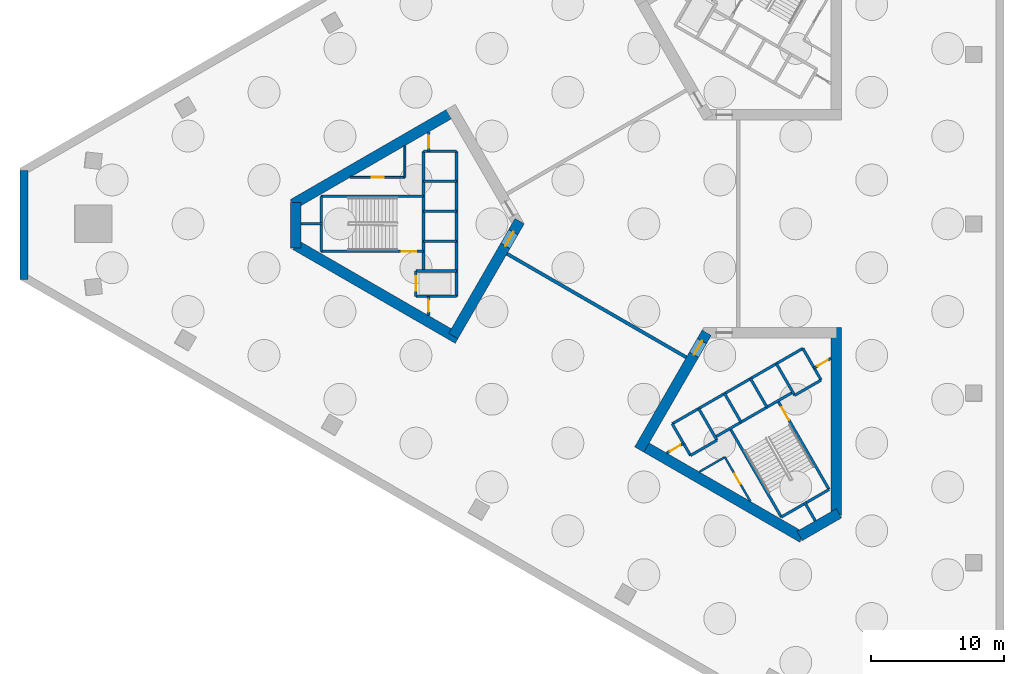
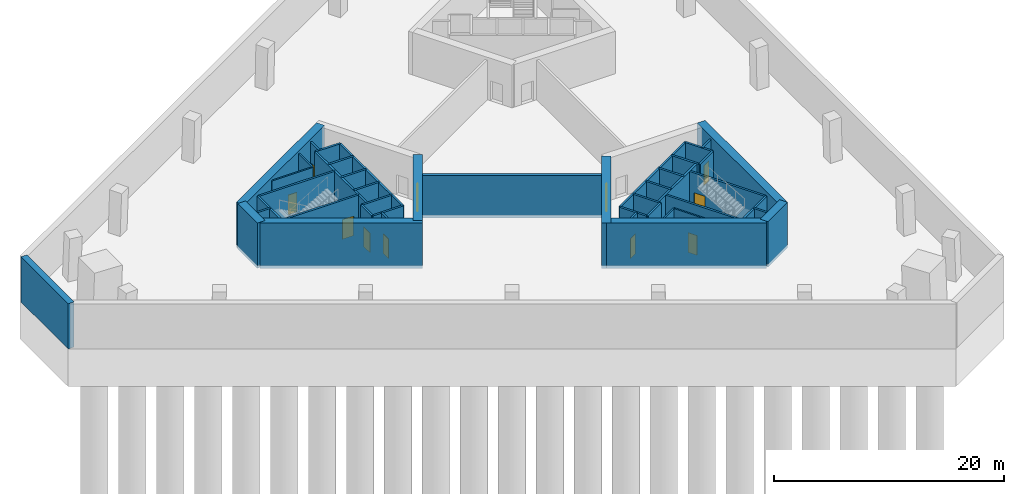
# One storey, part 2 of 7: 45 walls, 11 doors, 11 openings.
"""IFC4 building model written with IfcOpenShell, lengths in metres."""

from ifc_helpers import new_model, si_unit, direction, frame, frame_2d, origin, place, context, subcontext, project, spatial, rectangle, extrude, material, layer, layer_set, type_object, element, fill, save


model = new_model("IFC4")

# Units and contexts
model_context = context("Model", 3, precision=1e-05, world=origin(), true_north=direction((0.0, 1.0)))
body_context = subcontext(model_context, "Body", "Model", "MODEL_VIEW")
ifc_project = project(units=[si_unit("LENGTHUNIT", "METRE"), si_unit("AREAUNIT", "SQUARE_METRE"), si_unit("VOLUMEUNIT", "CUBIC_METRE"), si_unit("PLANEANGLEUNIT", "RADIAN"), si_unit("MASSUNIT", "GRAM", prefix="KILO")], contexts=[model_context])

# Site, building, storey
site_placement = place(None, origin())
site = spatial("IfcSite", under=ifc_project, at=site_placement, CompositionType="ELEMENT")
building_placement = place(site_placement, origin())
building = spatial("IfcBuilding", under=site, at=building_placement, Name="Jabali Bay Hotel Tower and Convention Centre", CompositionType="ELEMENT")
storey_placement = place(building_placement, frame((0.0, 0.0, -9.0)))
storey = spatial("IfcBuildingStorey", under=building, at=storey_placement, Name="B2", CompositionType="ELEMENT", Elevation=-9.0)

# Wall
ifc_material_1 = material(Name="Concrete C40", Category="concrete")
ifc_layer_1 = layer(ifc_material_1, 0.199951171875)
ifc_layer_set_1 = layer_set([ifc_layer_1], Name="Concrete C40")
wall_type_1 = type_object("IfcWallType", Name="Core partition wall 200", PredefinedType="PARTITIONING", material=ifc_layer_set_1)
wall_1_placement = place(storey_placement, frame((50.820068359375, 80.0, 0.0), z_axis=(0.0, 0.0, 1.0), x_axis=(-1.0, 0.0, 0.0)))
element("IfcWall", 1, at=wall_1_placement, inside=storey, type_object=wall_type_1, Name="Core wall 0.5 B2", PredefinedType="PARTITIONING", context=body_context, shape_type="SweptSolid", body=[
    extrude(rectangle(XDim=1.623046875, YDim=0.199951171875, at=frame_2d((0.8115234375, 0.0))), origin(), (0.0, 0.0, 1.0), 4.199951171875),
])

# Wall, opening, door
wall_2_placement = place(storey_placement, frame((58.820068359375, 86.916748046875, 0.0), z_axis=(0.0, 0.0, 1.0), x_axis=(0.0, -1.0, 0.0)))
wall_2 = element("IfcWall", 2, at=wall_2_placement, inside=storey, type_object=wall_type_1, Name="Core wall 0.11 B2", PredefinedType="PARTITIONING", context=body_context, shape_type="SweptSolid", body=[
    extrude(rectangle(XDim=1.466796875, YDim=0.199951171875, at=frame_2d((0.7333984375, 0.0))), origin(), (0.0, 0.0, 1.0), 4.199951171875),
])
opening_1_placement = place(wall_2_placement, frame((0.283447265625, 0.0, 0.0)))
opening_1 = element("IfcOpeningElement", 3, at=opening_1_placement, cuts=wall_2, Name="Opening D73", PredefinedType="OPENING", context=body_context, shape_type="SweptSolid", body=[
    extrude(rectangle(XDim=0.89990234375, YDim=2.10009765625, at=frame_2d((0.449951171875, 1.050048828125))), frame((0.0, 0.1103515625, 0.0), z_axis=(0.0, -1.0, 0.0), x_axis=(1.0, 0.0, 0.0)), (0.0, 0.0, 1.0), 0.220947265625),
])
ifc_material_2 = material(Name="Fire-rated steel door", Category="steel")
door_type_1 = type_object("IfcDoorType", Name="Vestibule fire door 900 x 2100", OperationType="NOTDEFINED", PredefinedType="NOTDEFINED", material=ifc_material_2)
door_1_placement = place(opening_1_placement, origin())
door_1 = element("IfcDoor", 4, at=door_1_placement, inside=storey, type_object=door_type_1, Name="Vestibule fire door D73", OperationType="SINGLE_SWING_LEFT", OverallHeight=2.10009765625, OverallWidth=0.89990234375, PredefinedType="NOTDEFINED", context=body_context, shape_type="SweptSolid", body=[
    extrude(rectangle(XDim=0.89990234375, YDim=2.10009765625, at=frame_2d((0.449951171875, 1.050048828125))), frame((0.0, 0.02490234375, 0.0), z_axis=(0.0, -1.0, 0.0), x_axis=(1.0, 0.0, 0.0)), (0.0, 0.0, 1.0), 0.050048828125),
])
fill(opening_1, door_1)

wall_3_placement = place(storey_placement, frame((58.800048828125, 74.550048828125, 0.0), z_axis=(0.0, 0.0, 1.0), x_axis=(0.0, -1.0, 0.0)))
wall_3 = element("IfcWall", 5, at=wall_3_placement, inside=storey, type_object=wall_type_1, Name="Core wall 0.12 B2", PredefinedType="PARTITIONING", context=body_context, shape_type="SweptSolid", body=[
    extrude(rectangle(XDim=1.455078125, YDim=0.199951171875, at=frame_2d((0.7275390625, 0.0))), origin(), (0.0, 0.0, 1.0), 4.199951171875),
])
opening_2_placement = place(wall_3_placement, frame((0.277587890625, 0.0, 0.0)))
opening_2 = element("IfcOpeningElement", 6, at=opening_2_placement, cuts=wall_3, Name="Opening D72", PredefinedType="OPENING", context=body_context, shape_type="SweptSolid", body=[
    extrude(rectangle(XDim=0.89990234375, YDim=2.10009765625, at=frame_2d((0.449951171875, 1.050048828125))), frame((0.0, 0.1103515625, 0.0), z_axis=(0.0, -1.0, 0.0), x_axis=(1.0, 0.0, 0.0)), (0.0, 0.0, 1.0), 0.220947265625),
])
door_2_placement = place(opening_2_placement, origin())
door_2 = element("IfcDoor", 7, at=door_2_placement, inside=storey, type_object=door_type_1, Name="Vestibule fire door D72", OperationType="SINGLE_SWING_LEFT", OverallHeight=2.10009765625, OverallWidth=0.89990234375, PredefinedType="NOTDEFINED", context=body_context, shape_type="SweptSolid", body=[
    extrude(rectangle(XDim=0.89990234375, YDim=2.10009765625, at=frame_2d((0.449951171875, 1.050048828125))), frame((0.0, 0.02490234375, 0.0), z_axis=(0.0, -1.0, 0.0), x_axis=(1.0, 0.0, 0.0)), (0.0, 0.0, 1.0), 0.050048828125),
])
fill(opening_2, door_2)

# Wall
wall_4_placement = place(storey_placement, frame((87.090087890625, 59.0595703125, 0.0), z_axis=(0.0, 0.0, 1.0), x_axis=(0.499956811548, -0.866050337213, 0.0)))
element("IfcWall", 8, at=wall_4_placement, inside=storey, type_object=wall_type_1, Name="Core wall 2.5 B2", PredefinedType="PARTITIONING", context=body_context, shape_type="SweptSolid", body=[
    extrude(rectangle(XDim=1.623291015625, YDim=0.199951171875, at=frame_2d((0.8115234375, 0.0))), origin(), (0.0, 0.0, 1.0), 4.199951171875),
])

# Wall, opening, door
wall_5_placement = place(storey_placement, frame((76.719970703125, 62.748779296875, 0.0), z_axis=(0.0, 0.0, 1.0), x_axis=(0.866054810376, 0.49994906283, 0.0)))
wall_5 = element("IfcWall", 9, at=wall_5_placement, inside=storey, type_object=wall_type_1, Name="Core wall 2.11 B2", PredefinedType="PARTITIONING", context=body_context, shape_type="SweptSolid", body=[
    extrude(rectangle(XDim=1.461181640625, YDim=0.199951171875, at=frame_2d((0.73046875, 0.0))), origin(), (0.0, 0.0, 1.0), 4.199951171875),
])
opening_3_placement = place(wall_5_placement, frame((0.280517578125, 0.0, 0.0)))
opening_3 = element("IfcOpeningElement", 10, at=opening_3_placement, cuts=wall_5, Name="Opening D85", PredefinedType="OPENING", context=body_context, shape_type="SweptSolid", body=[
    extrude(rectangle(XDim=0.89990234375, YDim=2.10009765625, at=frame_2d((0.449951171875, 1.050048828125))), frame((0.0, 0.1103515625, 0.0), z_axis=(0.0, -1.0, 0.0), x_axis=(1.0, 0.0, 0.0)), (0.0, 0.0, 1.0), 0.220947265625),
])
door_3_placement = place(opening_3_placement, origin())
door_3 = element("IfcDoor", 11, at=door_3_placement, inside=storey, type_object=door_type_1, Name="Vestibule fire door D85", OperationType="SINGLE_SWING_LEFT", OverallHeight=2.10009765625, OverallWidth=0.89990234375, PredefinedType="NOTDEFINED", context=body_context, shape_type="SweptSolid", body=[
    extrude(rectangle(XDim=0.89990234375, YDim=2.10009765625, at=frame_2d((0.449951171875, 1.050048828125))), frame((0.0, 0.02490234375, 0.0), z_axis=(0.0, -1.0, 0.0), x_axis=(1.0, 0.0, 0.0)), (0.0, 0.0, 1.0), 0.050048828125),
])
fill(opening_3, door_3)

wall_6_placement = place(storey_placement, frame((87.814697265625, 69.154296875, 0.0), z_axis=(0.0, 0.0, 1.0), x_axis=(0.866054810376, 0.49994906283, 0.0)))
wall_6 = element("IfcWall", 12, at=wall_6_placement, inside=storey, type_object=wall_type_1, Name="Core wall 2.12 B2", PredefinedType="PARTITIONING", context=body_context, shape_type="SweptSolid", body=[
    extrude(rectangle(XDim=1.461181640625, YDim=0.199951171875, at=frame_2d((0.73046875, 0.0))), origin(), (0.0, 0.0, 1.0), 4.199951171875),
])
opening_4_placement = place(wall_6_placement, frame((0.280517578125, 0.0, 0.0)))
opening_4 = element("IfcOpeningElement", 13, at=opening_4_placement, cuts=wall_6, Name="Opening D84", PredefinedType="OPENING", context=body_context, shape_type="SweptSolid", body=[
    extrude(rectangle(XDim=0.89990234375, YDim=2.10009765625, at=frame_2d((0.449951171875, 1.050048828125))), frame((0.0, 0.1103515625, 0.0), z_axis=(0.0, -1.0, 0.0), x_axis=(1.0, 0.0, 0.0)), (0.0, 0.0, 1.0), 0.220947265625),
])
door_4_placement = place(opening_4_placement, origin())
door_4 = element("IfcDoor", 14, at=door_4_placement, inside=storey, type_object=door_type_1, Name="Vestibule fire door D84", OperationType="SINGLE_SWING_LEFT", OverallHeight=2.10009765625, OverallWidth=0.89990234375, PredefinedType="NOTDEFINED", context=body_context, shape_type="SweptSolid", body=[
    extrude(rectangle(XDim=0.89990234375, YDim=2.10009765625, at=frame_2d((0.449951171875, 1.050048828125))), frame((0.0, 0.02490234375, 0.0), z_axis=(0.0, -1.0, 0.0), x_axis=(1.0, 0.0, 0.0)), (0.0, 0.0, 1.0), 0.050048828125),
])
fill(opening_4, door_4)

ifc_material_3 = material(Name="Fire-rated board partition")
ifc_layer_2 = layer(ifc_material_3, 0.14990234375)
ifc_layer_set_2 = layer_set([ifc_layer_2], Name="Fire-rated board partition")
wall_type_2 = type_object("IfcWallType", Name="Core room partition 150", PredefinedType="PARTITIONING", material=ifc_layer_set_2)
wall_7_placement = place(storey_placement, frame((57.02001953125, 83.5, 0.0), z_axis=(0.0, 0.0, 1.0), x_axis=(-1.0, 0.0, 0.0)))
wall_7 = element("IfcWall", 15, at=wall_7_placement, inside=storey, type_object=wall_type_2, Name="Core wall 0.1 B2", PredefinedType="PARTITIONING", context=body_context, shape_type="SweptSolid", body=[
    extrude(rectangle(XDim=4.117919921875, YDim=0.14990234375, at=frame_2d((2.05908203125, 0.0))), origin(), (0.0, 0.0, 1.0), 4.199951171875),
])
opening_5_placement = place(wall_7_placement, frame((1.58154296875, 0.0, 0.0)))
opening_5 = element("IfcOpeningElement", 16, at=opening_5_placement, cuts=wall_7, Name="Opening D75", PredefinedType="OPENING", context=body_context, shape_type="SweptSolid", body=[
    extrude(rectangle(XDim=0.89990234375, YDim=2.10009765625, at=frame_2d((0.449951171875, 1.050048828125))), frame((0.0, 0.08544921875, 0.0), z_axis=(0.0, -1.0, 0.0), x_axis=(1.0, 0.0, 0.0)), (0.0, 0.0, 1.0), 0.1708984375),
])
door_type_2 = type_object("IfcDoorType", Name="Core room door 900 x 2100", OperationType="NOTDEFINED", PredefinedType="NOTDEFINED", material=ifc_material_2)
door_5_placement = place(opening_5_placement, origin())
door_5 = element("IfcDoor", 17, at=door_5_placement, inside=storey, type_object=door_type_2, Name="Core room door D75", OperationType="SINGLE_SWING_LEFT", OverallHeight=2.10009765625, OverallWidth=0.89990234375, PredefinedType="NOTDEFINED", context=body_context, shape_type="SweptSolid", body=[
    extrude(rectangle(XDim=0.89990234375, YDim=2.10009765625, at=frame_2d((0.449951171875, 1.050048828125))), frame((0.0, 0.02490234375, 0.0), z_axis=(0.0, -1.0, 0.0), x_axis=(1.0, 0.0, 0.0)), (0.0, 0.0, 1.0), 0.050048828125),
])
fill(opening_5, door_5)

# Wall
wall_8_placement = place(storey_placement, frame((57.02001953125, 85.87744140625, 0.0), z_axis=(0.0, 0.0, 1.0), x_axis=(0.0, -1.0, 0.0)))
element("IfcWall", 18, at=wall_8_placement, inside=storey, type_object=wall_type_2, Name="Core wall 0.15 B2", PredefinedType="PARTITIONING", context=body_context, shape_type="SweptSolid", body=[
    extrude(rectangle(XDim=2.37744140625, YDim=0.14990234375, at=frame_2d((1.188720703125, 0.0))), origin(), (0.0, 0.0, 1.0), 4.199951171875),
])

# Wall, opening, door
wall_9_placement = place(storey_placement, frame((81.093994140625, 62.445068359375, 0.0), z_axis=(0.0, 0.0, 1.0), x_axis=(0.499987921047, -0.866032377459, 0.0)))
wall_9 = element("IfcWall", 19, at=wall_9_placement, inside=storey, type_object=wall_type_2, Name="Core wall 2.1 B2", PredefinedType="PARTITIONING", context=body_context, shape_type="SweptSolid", body=[
    extrude(rectangle(XDim=3.84765625, YDim=0.14990234375, at=frame_2d((1.923828125, 0.0))), origin(), (0.0, 0.0, 1.0), 4.199951171875),
])
opening_6_placement = place(wall_9_placement, frame((1.446533203125, 0.0, 0.0)))
opening_6 = element("IfcOpeningElement", 20, at=opening_6_placement, cuts=wall_9, Name="Opening D87", PredefinedType="OPENING", context=body_context, shape_type="SweptSolid", body=[
    extrude(rectangle(XDim=0.89990234375, YDim=2.10009765625, at=frame_2d((0.449951171875, 1.050048828125))), frame((0.0, 0.08544921875, 0.0), z_axis=(0.0, -1.0, 0.0), x_axis=(1.0, 0.0, 0.0)), (0.0, 0.0, 1.0), 0.1708984375),
])
door_6_placement = place(opening_6_placement, origin())
door_6 = element("IfcDoor", 21, at=door_6_placement, inside=storey, type_object=door_type_2, Name="Core room door D87", OperationType="SINGLE_SWING_LEFT", OverallHeight=2.10009765625, OverallWidth=0.89990234375, PredefinedType="NOTDEFINED", context=body_context, shape_type="SweptSolid", body=[
    extrude(rectangle(XDim=0.89990234375, YDim=2.10009765625, at=frame_2d((0.449951171875, 1.050048828125))), frame((0.0, 0.02490234375, 0.0), z_axis=(0.0, -1.0, 0.0), x_axis=(1.0, 0.0, 0.0)), (0.0, 0.0, 1.0), 0.050048828125),
])
fill(opening_6, door_6)

# Walls
wall_10_placement = place(storey_placement, frame((79.169921875, 61.334228515625, 0.0), z_axis=(0.0, 0.0, 1.0), x_axis=(0.866030041738, 0.499991966744, 0.0)))
element("IfcWall", 22, at=wall_10_placement, inside=storey, type_object=wall_type_2, Name="Core wall 2.16 B2", PredefinedType="PARTITIONING", context=body_context, shape_type="SweptSolid", body=[
    extrude(rectangle(XDim=2.2216796875, YDim=0.14990234375, at=frame_2d((1.11083984375, 0.0))), origin(), (0.0, 0.0, 1.0), 4.199951171875),
])
ifc_layer_3 = layer(ifc_material_1, 0.199951171875)
ifc_layer_set_3 = layer_set([ifc_layer_3], Name="Concrete C40")
wall_type_3 = type_object("IfcWallType", Name="Core stair wall 200", PredefinedType="SOLIDWALL", material=ifc_layer_set_3)
for number, where, z_axis, x_axis, name in (
    (23, (60.89990234375, 85.449951171875, 0.0), (0.0, 0.0, 1.0), (-1.0, 0.0, 0.0), "Core wall 0.0 B2"),
    (24, (60.89990234375, 83.199951171875, 0.0), (0.0, 0.0, 1.0), (-1.0, 0.0, 0.0), "Core wall 0.2 B2"),
):
    element("IfcWall", number, at=place(storey_placement, frame(where, z_axis=z_axis, x_axis=x_axis)), inside=storey, type_object=wall_type_3, Name=name, PredefinedType="SOLIDWALL", context=body_context, shape_type="SweptSolid", body=[
        extrude(rectangle(XDim=2.47998046875, YDim=0.199951171875, at=frame_2d((1.239990234375, 0.0))), origin(), (0.0, 0.0, 1.0), 4.199951171875),
    ])
wall_11_placement = place(storey_placement, frame((58.419921875, 82.074951171875, 0.0), z_axis=(0.0, 0.0, 1.0), x_axis=(-1.0, 0.0, 0.0)))
element("IfcWall", 25, at=wall_11_placement, inside=storey, type_object=wall_type_3, Name="Core wall 0.3 B2", PredefinedType="SOLIDWALL", context=body_context, shape_type="SweptSolid", body=[
    extrude(rectangle(XDim=7.699951171875, YDim=0.199951171875, at=frame_2d((3.85009765625, 0.0))), origin(), (0.0, 0.0, 1.0), 4.199951171875),
])
for number, where, z_axis, x_axis, name in (
    (26, (60.89990234375, 80.949951171875, 0.0), (0.0, 0.0, 1.0), (-1.0, 0.0, 0.0), "Core wall 0.4 B2"),
    (27, (60.89990234375, 78.699951171875, 0.0), (0.0, 0.0, 1.0), (-1.0, 0.0, 0.0), "Core wall 0.6 B2"),
):
    element("IfcWall", number, at=place(storey_placement, frame(where, z_axis=z_axis, x_axis=x_axis)), inside=storey, type_object=wall_type_3, Name=name, PredefinedType="SOLIDWALL", context=body_context, shape_type="SweptSolid", body=[
        extrude(rectangle(XDim=2.47998046875, YDim=0.199951171875, at=frame_2d((1.239990234375, 0.0))), origin(), (0.0, 0.0, 1.0), 4.199951171875),
    ])

# Wall, opening, door
wall_12_placement = place(storey_placement, frame((58.419921875, 77.925048828125, 0.0), z_axis=(0.0, 0.0, 1.0), x_axis=(-1.0, 0.0, 0.0)))
wall_12 = element("IfcWall", 28, at=wall_12_placement, inside=storey, type_object=wall_type_3, Name="Core wall 0.7 B2", PredefinedType="SOLIDWALL", context=body_context, shape_type="SweptSolid", body=[
    extrude(rectangle(XDim=7.699951171875, YDim=0.199951171875, at=frame_2d((3.85009765625, 0.0))), origin(), (0.0, 0.0, 1.0), 4.199951171875),
])
opening_7_placement = place(wall_12_placement, frame((0.550048828125, 0.0, 0.0)))
opening_7 = element("IfcOpeningElement", 29, at=opening_7_placement, cuts=wall_12, Name="Opening D74", PredefinedType="OPENING", context=body_context, shape_type="SweptSolid", body=[
    extrude(rectangle(XDim=1.10009765625, YDim=2.10009765625, at=frame_2d((0.550048828125, 1.050048828125))), frame((0.0, 0.1103515625, 0.0), z_axis=(0.0, -1.0, 0.0), x_axis=(1.0, 0.0, 0.0)), (0.0, 0.0, 1.0), 0.220947265625),
])
door_type_3 = type_object("IfcDoorType", Name="Stair fire door 1100 x 2100", OperationType="NOTDEFINED", PredefinedType="NOTDEFINED", material=ifc_material_2)
door_7_placement = place(opening_7_placement, origin())
door_7 = element("IfcDoor", 30, at=door_7_placement, inside=storey, type_object=door_type_3, Name="Stair fire door D74", OperationType="SINGLE_SWING_RIGHT", OverallHeight=2.10009765625, OverallWidth=1.10009765625, PredefinedType="NOTDEFINED", context=body_context, shape_type="SweptSolid", body=[
    extrude(rectangle(XDim=1.10009765625, YDim=2.10009765625, at=frame_2d((0.550048828125, 1.050048828125))), frame((0.0, 0.02490234375, 0.0), z_axis=(0.0, -1.0, 0.0), x_axis=(1.0, 0.0, 0.0)), (0.0, 0.0, 1.0), 0.050048828125),
])
fill(opening_7, door_7)

# Walls
for number, where, z_axis, x_axis, name in (
    (31, (60.89990234375, 76.449951171875, 0.0), (0.0, 0.0, 1.0), (-1.0, 0.0, 0.0), "Core wall 0.8 B2"),
    (32, (60.89990234375, 74.550048828125, 0.0), (0.0, 0.0, 1.0), (-1.0, 0.0, 0.0), "Core wall 0.9 B2"),
):
    element("IfcWall", number, at=place(storey_placement, frame(where, z_axis=z_axis, x_axis=x_axis)), inside=storey, type_object=wall_type_3, Name=name, PredefinedType="SOLIDWALL", context=body_context, shape_type="SweptSolid", body=[
        extrude(rectangle(XDim=3.0498046875, YDim=0.199951171875, at=frame_2d((1.52490234375, 0.0))), origin(), (0.0, 0.0, 1.0), 4.199951171875),
    ])
wall_13_placement = place(storey_placement, frame((60.89990234375, 85.449951171875, 0.0), z_axis=(0.0, 0.0, 1.0), x_axis=(0.0, -1.0, 0.0)))
element("IfcWall", 33, at=wall_13_placement, inside=storey, type_object=wall_type_3, Name="Core wall 0.10 B2", PredefinedType="SOLIDWALL", context=body_context, shape_type="SweptSolid", body=[
    extrude(rectangle(XDim=10.89990234375, YDim=0.199951171875, at=frame_2d((5.449951171875, 0.0))), origin(), (0.0, 0.0, 1.0), 4.199951171875),
])
wall_14_placement = place(storey_placement, frame((58.419921875, 85.449951171875, 0.0), z_axis=(0.0, 0.0, 1.0), x_axis=(0.0, -1.0, 0.0)))
element("IfcWall", 34, at=wall_14_placement, inside=storey, type_object=wall_type_3, Name="Core wall 0.13 B2", PredefinedType="SOLIDWALL", context=body_context, shape_type="SweptSolid", body=[
    extrude(rectangle(XDim=9.0, YDim=0.199951171875, at=frame_2d((4.5, 0.0))), origin(), (0.0, 0.0, 1.0), 4.199951171875),
])

# Wall, opening, door
wall_15_placement = place(storey_placement, frame((57.85009765625, 76.449951171875, 0.0), z_axis=(0.0, 0.0, 1.0), x_axis=(0.0, -1.0, 0.0)))
wall_15 = element("IfcWall", 35, at=wall_15_placement, inside=storey, type_object=wall_type_3, Name="Core wall 0.14 B2", PredefinedType="SOLIDWALL", context=body_context, shape_type="SweptSolid", body=[
    extrude(rectangle(XDim=1.89990234375, YDim=0.199951171875, at=frame_2d((0.949951171875, 0.0))), origin(), (0.0, 0.0, 1.0), 4.199951171875),
])
opening_8_placement = place(wall_15_placement, frame((0.39990234375, 0.0, 0.0)))
opening_8 = element("IfcOpeningElement", 36, at=opening_8_placement, cuts=wall_15, Name="Opening LD5-B2", PredefinedType="OPENING", context=body_context, shape_type="SweptSolid", body=[
    extrude(rectangle(XDim=1.10009765625, YDim=2.10009765625, at=frame_2d((0.550048828125, 1.050048828125))), frame((0.0, 0.1103515625, 0.0), z_axis=(0.0, -1.0, 0.0), x_axis=(1.0, 0.0, 0.0)), (0.0, 0.0, 1.0), 0.220947265625),
])
ifc_material_4 = material(Name="Stainless steel landing door", Category="steel")
door_type_4 = type_object("IfcDoorType", Name="Landing door 1100 x 2100", OperationType="NOTDEFINED", PredefinedType="NOTDEFINED", material=ifc_material_4)
door_8_placement = place(opening_8_placement, origin())
door_8 = element("IfcDoor", 37, at=door_8_placement, inside=storey, type_object=door_type_4, Name="Landing doors LD5-B2", OperationType="SLIDING_TO_RIGHT", OverallHeight=2.10009765625, OverallWidth=1.10009765625, PredefinedType="NOTDEFINED", context=body_context, shape_type="SweptSolid", body=[
    extrude(rectangle(XDim=1.10009765625, YDim=2.10009765625, at=frame_2d((0.550048828125, 1.050048828125))), frame((0.0, 0.02490234375, 0.0), z_axis=(0.0, -1.0, 0.0), x_axis=(1.0, 0.0, 0.0)), (0.0, 0.0, 1.0), 0.050048828125),
])
fill(opening_8, door_8)

# Walls
wall_16_placement = place(storey_placement, frame((50.719970703125, 82.074951171875, 0.0), z_axis=(0.0, 0.0, 1.0), x_axis=(0.0, -1.0, 0.0)))
element("IfcWall", 38, at=wall_16_placement, inside=storey, type_object=wall_type_3, Name="Core wall 0.16 B2", PredefinedType="SOLIDWALL", context=body_context, shape_type="SweptSolid", body=[
    extrude(rectangle(XDim=4.14990234375, YDim=0.199951171875, at=frame_2d((2.074951171875, 0.0))), origin(), (0.0, 0.0, 1.0), 4.199951171875),
])
for number, where, z_axis, x_axis, name in (
    (39, (77.13525390625, 64.95166015625, 0.0), (0.0, 0.0, 1.0), (0.499996545922, -0.866027397988, 0.0), "Core wall 2.0 B2"),
    (40, (79.127197265625, 66.1015625, 0.0), (0.0, 0.0, 1.0), (0.499996545922, -0.866027397988, 0.0), "Core wall 2.2 B2"),
):
    element("IfcWall", number, at=place(storey_placement, frame(where, z_axis=z_axis, x_axis=x_axis)), inside=storey, type_object=wall_type_3, Name=name, PredefinedType="SOLIDWALL", context=body_context, shape_type="SweptSolid", body=[
        extrude(rectangle(XDim=2.75, YDim=0.199951171875, at=frame_2d((1.375, 0.0))), origin(), (0.0, 0.0, 1.0), 4.199951171875),
    ])
wall_17_placement = place(storey_placement, frame((81.492919921875, 64.603759765625, 0.0), z_axis=(0.0, 0.0, 1.0), x_axis=(0.500006057782, -0.866021906294, 0.0)))
element("IfcWall", 41, at=wall_17_placement, inside=storey, type_object=wall_type_3, Name="Core wall 2.3 B2", PredefinedType="SOLIDWALL", context=body_context, shape_type="SweptSolid", body=[
    extrude(rectangle(XDim=7.7001953125, YDim=0.199951171875, at=frame_2d((3.85009765625, 0.0))), origin(), (0.0, 0.0, 1.0), 4.199951171875),
])
for number, where, z_axis, x_axis, name in (
    (42, (81.07568359375, 67.2265625, 0.0), (0.0, 0.0, 1.0), (0.50000366821, -0.866023285932, 0.0), "Core wall 2.4 B2"),
    (43, (83.024169921875, 68.3515625, 0.0), (0.0, 0.0, 1.0), (0.50000366821, -0.866023285932, 0.0), "Core wall 2.6 B2"),
):
    element("IfcWall", number, at=place(storey_placement, frame(where, z_axis=z_axis, x_axis=x_axis)), inside=storey, type_object=wall_type_3, Name=name, PredefinedType="SOLIDWALL", context=body_context, shape_type="SweptSolid", body=[
        extrude(rectangle(XDim=2.47998046875, YDim=0.199951171875, at=frame_2d((1.239990234375, 0.0))), origin(), (0.0, 0.0, 1.0), 4.199951171875),
    ])

# Wall, opening, door
wall_18_placement = place(storey_placement, frame((85.0869140625, 66.6787109375, 0.0), z_axis=(0.0, 0.0, 1.0), x_axis=(0.500019787375, -0.866013979237, 0.0)))
wall_18 = element("IfcWall", 44, at=wall_18_placement, inside=storey, type_object=wall_type_3, Name="Core wall 2.7 B2", PredefinedType="SOLIDWALL", context=body_context, shape_type="SweptSolid", body=[
    extrude(rectangle(XDim=7.699951171875, YDim=0.199951171875, at=frame_2d((3.85009765625, 0.0))), origin(), (0.0, 0.0, 1.0), 4.199951171875),
])
opening_9_placement = place(wall_18_placement, frame((0.550048828125, 0.0, 0.0)))
opening_9 = element("IfcOpeningElement", 45, at=opening_9_placement, cuts=wall_18, Name="Opening D86", PredefinedType="OPENING", context=body_context, shape_type="SweptSolid", body=[
    extrude(rectangle(XDim=1.10009765625, YDim=2.10009765625, at=frame_2d((0.550048828125, 1.050048828125))), frame((0.0, 0.1103515625, 0.0), z_axis=(0.0, -1.0, 0.0), x_axis=(1.0, 0.0, 0.0)), (0.0, 0.0, 1.0), 0.220947265625),
])
door_9_placement = place(opening_9_placement, origin())
door_9 = element("IfcDoor", 46, at=door_9_placement, inside=storey, type_object=door_type_3, Name="Stair fire door D86", OperationType="SINGLE_SWING_RIGHT", OverallHeight=2.10009765625, OverallWidth=1.10009765625, PredefinedType="NOTDEFINED", context=body_context, shape_type="SweptSolid", body=[
    extrude(rectangle(XDim=1.10009765625, YDim=2.10009765625, at=frame_2d((0.550048828125, 1.050048828125))), frame((0.0, 0.02490234375, 0.0), z_axis=(0.0, -1.0, 0.0), x_axis=(1.0, 0.0, 0.0)), (0.0, 0.0, 1.0), 0.050048828125),
])
fill(opening_9, door_9)

# Walls
for number, where, z_axis, x_axis, name in (
    (47, (84.972900390625, 69.4765625, 0.0), (0.0, 0.0, 1.0), (0.499996545922, -0.866027397988, 0.0), "Core wall 2.8 B2"),
    (48, (86.964599609375, 70.62646484375, 0.0), (0.0, 0.0, 1.0), (0.499996545922, -0.866027397988, 0.0), "Core wall 2.9 B2"),
):
    element("IfcWall", number, at=place(storey_placement, frame(where, z_axis=z_axis, x_axis=x_axis)), inside=storey, type_object=wall_type_3, Name=name, PredefinedType="SOLIDWALL", context=body_context, shape_type="SweptSolid", body=[
        extrude(rectangle(XDim=2.75, YDim=0.199951171875, at=frame_2d((1.375, 0.0))), origin(), (0.0, 0.0, 1.0), 4.199951171875),
    ])
wall_19_placement = place(storey_placement, frame((77.13525390625, 64.95166015625, 0.0), z_axis=(0.0, 0.0, 1.0), x_axis=(0.866031916153, 0.499988720078, 0.0)))
element("IfcWall", 49, at=wall_19_placement, inside=storey, type_object=wall_type_3, Name="Core wall 2.10 B2", PredefinedType="SOLIDWALL", context=body_context, shape_type="SweptSolid", body=[
    extrude(rectangle(XDim=11.349853515625, YDim=0.199951171875, at=frame_2d((5.6748046875, 0.0))), origin(), (0.0, 0.0, 1.0), 4.199951171875),
])
wall_20_placement = place(storey_placement, frame((80.3671875, 63.953857421875, 0.0), z_axis=(0.0, 0.0, 1.0), x_axis=(0.866026575979, 0.499997969693, 0.0)))
element("IfcWall", 50, at=wall_20_placement, inside=storey, type_object=wall_type_3, Name="Core wall 2.13 B2", PredefinedType="SOLIDWALL", context=body_context, shape_type="SweptSolid", body=[
    extrude(rectangle(XDim=6.75, YDim=0.199951171875, at=frame_2d((3.375, 0.0))), origin(), (0.0, 0.0, 1.0), 4.199951171875),
])
wall_21_placement = place(storey_placement, frame((78.51025390625, 62.570068359375, 0.0), z_axis=(0.0, 0.0, 1.0), x_axis=(0.866053019151, 0.499952165731, 0.0)))
element("IfcWall", 51, at=wall_21_placement, inside=storey, type_object=wall_type_3, Name="Core wall 2.14 B2", PredefinedType="SOLIDWALL", context=body_context, shape_type="SweptSolid", body=[
    extrude(rectangle(XDim=2.300048828125, YDim=0.199951171875, at=frame_2d((1.14990234375, 0.0))), origin(), (0.0, 0.0, 1.0), 4.199951171875),
])
wall_22_placement = place(storey_placement, frame((86.347900390625, 67.094970703125, 0.0), z_axis=(0.0, 0.0, 1.0), x_axis=(0.86602648383, 0.499998129301, 0.0)))
element("IfcWall", 52, at=wall_22_placement, inside=storey, type_object=wall_type_3, Name="Core wall 2.15 B2", PredefinedType="SOLIDWALL", context=body_context, shape_type="SweptSolid", body=[
    extrude(rectangle(XDim=2.2998046875, YDim=0.199951171875, at=frame_2d((1.14990234375, 0.0))), origin(), (0.0, 0.0, 1.0), 4.199951171875),
])
wall_23_placement = place(storey_placement, frame((85.343017578125, 57.935302734375, 0.0), z_axis=(0.0, 0.0, 1.0), x_axis=(0.866004344652, 0.500036473714, 0.0)))
element("IfcWall", 53, at=wall_23_placement, inside=storey, type_object=wall_type_3, Name="Core wall 2.17 B2", PredefinedType="SOLIDWALL", context=body_context, shape_type="SweptSolid", body=[
    extrude(rectangle(XDim=4.150146484375, YDim=0.199951171875, at=frame_2d((2.0751953125, 0.0))), origin(), (0.0, 0.0, 1.0), 4.199951171875),
])
ifc_material_5 = material(Name="Concrete C60", Category="concrete")
ifc_layer_4 = layer(ifc_material_5, 0.800048828125)
ifc_layer_set_4 = layer_set([ifc_layer_4], Name="Concrete C60")
wall_type_4 = type_object("IfcWallType", Name="Core wall 800", PredefinedType="SHEAR", material=ifc_layer_set_4)
wall_24_placement = place(storey_placement, frame((60.66357421875, 88.44287109375, -0.300048828125), z_axis=(0.0, 0.0, 1.0), x_axis=(-0.866029478545, -0.499992942241, 0.0)))
element("IfcWall", 54, at=wall_24_placement, inside=storey, type_object=wall_type_4, Name="Core wall 1.2 B2", PredefinedType="SHEAR", context=body_context, shape_type="SweptSolid", body=[
    extrude(rectangle(XDim=13.933349609375, YDim=0.800048828125, at=frame_2d((6.966796875, 0.0))), origin(), (0.0, 0.0, 1.0), 4.800048828125),
])
wall_25_placement = place(storey_placement, frame((48.796875, 81.591796875, -0.300048828125), z_axis=(0.0, 0.0, 1.0), x_axis=(0.0, -1.0, 0.0)))
element("IfcWall", 55, at=wall_25_placement, inside=storey, type_object=wall_type_4, Name="Core wall 1.3 B2", PredefinedType="SHEAR", context=body_context, shape_type="SweptSolid", body=[
    extrude(rectangle(XDim=3.41455078125, YDim=0.800048828125, at=frame_2d((1.707275390625, 0.0))), origin(), (0.0, 0.0, 1.0), 4.800048828125),
])
wall_26_placement = place(storey_placement, frame((48.796875, 78.408203125, -0.300048828125), z_axis=(0.0, 0.0, 1.0), x_axis=(0.866032504327, -0.499987701298, 0.0)))
element("IfcWall", 56, at=wall_26_placement, inside=storey, type_object=wall_type_4, Name="Core wall 1.4 B2", PredefinedType="SHEAR", context=body_context, shape_type="SweptSolid", body=[
    extrude(rectangle(XDim=14.102294921875, YDim=0.800048828125, at=frame_2d((7.05126953125, 0.0))), origin(), (0.0, 0.0, 1.0), 4.800048828125),
])

# Wall, opening, door
wall_27_placement = place(storey_placement, frame((60.66357421875, 71.55712890625, -0.300048828125), z_axis=(0.0, 0.0, 1.0), x_axis=(0.50000409368, 0.866023040284, 0.0)))
wall_27 = element("IfcWall", 57, at=wall_27_placement, inside=storey, type_object=wall_type_4, Name="Core wall 1.5 B2", PredefinedType="SHEAR", context=body_context, shape_type="SweptSolid", body=[
    extrude(rectangle(XDim=9.97998046875, YDim=0.800048828125, at=frame_2d((4.989990234375, 0.0))), origin(), (0.0, 0.0, 1.0), 4.800048828125),
])
opening_10_placement = place(wall_27_placement, frame((7.830078125, 0.0, 0.300048828125)))
opening_10 = element("IfcOpeningElement", 58, at=opening_10_placement, cuts=wall_27, Name="Opening D71", PredefinedType="OPENING", context=body_context, shape_type="SweptSolid", body=[
    extrude(rectangle(XDim=1.199951171875, YDim=2.10009765625, at=frame_2d((0.60009765625, 1.050048828125))), frame((0.0, 0.41064453125, 0.0), z_axis=(0.0, -1.0, 0.0), x_axis=(1.0, 0.0, 0.0)), (0.0, 0.0, 1.0), 0.821044921875),
])
door_type_5 = type_object("IfcDoorType", Name="Corridor end fire door 1200 x 2100", OperationType="NOTDEFINED", PredefinedType="NOTDEFINED", material=ifc_material_2)
door_10_placement = place(opening_10_placement, origin())
door_10 = element("IfcDoor", 59, at=door_10_placement, inside=storey, type_object=door_type_5, Name="Corridor end fire door D71", OperationType="SINGLE_SWING_LEFT", OverallHeight=2.10009765625, OverallWidth=1.199951171875, PredefinedType="NOTDEFINED", context=body_context, shape_type="SweptSolid", body=[
    extrude(rectangle(XDim=1.199951171875, YDim=2.10009765625, at=frame_2d((0.60009765625, 1.050048828125))), frame((0.0, 0.02490234375, 0.0), z_axis=(0.0, -1.0, 0.0), x_axis=(1.0, 0.0, 0.0)), (0.0, 0.0, 1.0), 0.050048828125),
])
fill(opening_10, door_10)

wall_28_placement = place(storey_placement, frame((79.73095703125, 71.8056640625, -0.300048828125), z_axis=(0.0, 0.0, 1.0), x_axis=(-0.49999662545, -0.866027352073, 0.0)))
wall_28 = element("IfcWall", 60, at=wall_28_placement, inside=storey, type_object=wall_type_4, Name="Core wall 3.1 B2", PredefinedType="SHEAR", context=body_context, shape_type="SweptSolid", body=[
    extrude(rectangle(XDim=10.14892578125, YDim=0.800048828125, at=frame_2d((5.074462890625, 0.0))), origin(), (0.0, 0.0, 1.0), 4.800048828125),
])
opening_11_placement = place(wall_28_placement, frame((0.718994140625, 0.0, 0.300048828125)))
opening_11 = element("IfcOpeningElement", 61, at=opening_11_placement, cuts=wall_28, Name="Opening D82", PredefinedType="OPENING", context=body_context, shape_type="SweptSolid", body=[
    extrude(rectangle(XDim=1.199951171875, YDim=2.10009765625, at=frame_2d((0.60009765625, 1.050048828125))), frame((0.0, 0.41064453125, 0.0), z_axis=(0.0, -1.0, 0.0), x_axis=(1.0, 0.0, 0.0)), (0.0, 0.0, 1.0), 0.821044921875),
])
door_11_placement = place(opening_11_placement, origin())
door_11 = element("IfcDoor", 62, at=door_11_placement, inside=storey, type_object=door_type_5, Name="Corridor end fire door D82", OperationType="SINGLE_SWING_RIGHT", OverallHeight=2.10009765625, OverallWidth=1.199951171875, PredefinedType="NOTDEFINED", context=body_context, shape_type="SweptSolid", body=[
    extrude(rectangle(XDim=1.199951171875, YDim=2.10009765625, at=frame_2d((0.60009765625, 1.050048828125))), frame((0.0, 0.02490234375, 0.0), z_axis=(0.0, -1.0, 0.0), x_axis=(1.0, 0.0, 0.0)), (0.0, 0.0, 1.0), 0.050048828125),
])
fill(opening_11, door_11)

# Walls
wall_29_placement = place(storey_placement, frame((74.8564453125, 63.36279296875, -0.300048828125), z_axis=(0.0, 0.0, 1.0), x_axis=(0.866029478545, -0.499992942241, 0.0)))
element("IfcWall", 63, at=wall_29_placement, inside=storey, type_object=wall_type_4, Name="Core wall 3.2 B2", PredefinedType="SHEAR", context=body_context, shape_type="SweptSolid", body=[
    extrude(rectangle(XDim=13.933349609375, YDim=0.800048828125, at=frame_2d((6.966796875, 0.0))), origin(), (0.0, 0.0, 1.0), 4.800048828125),
])
wall_30_placement = place(storey_placement, frame((86.72314453125, 56.51171875, -0.300048828125), z_axis=(0.0, 0.0, 1.0), x_axis=(0.866034355626, 0.499984494636, 0.0)))
element("IfcWall", 64, at=wall_30_placement, inside=storey, type_object=wall_type_4, Name="Core wall 3.3 B2", PredefinedType="SHEAR", context=body_context, shape_type="SweptSolid", body=[
    extrude(rectangle(XDim=3.4140625, YDim=0.800048828125, at=frame_2d((1.70703125, 0.0))), origin(), (0.0, 0.0, 1.0), 4.800048828125),
])
wall_31_placement = place(storey_placement, frame((89.47998046875, 58.103271484375, -0.300048828125), z_axis=(0.0, 0.0, 1.0), x_axis=(0.0, 1.0, 0.0)))
element("IfcWall", 65, at=wall_31_placement, inside=storey, type_object=wall_type_4, Name="Core wall 3.4 B2", PredefinedType="SHEAR", context=body_context, shape_type="SweptSolid", body=[
    extrude(rectangle(XDim=14.1025390625, YDim=0.800048828125, at=frame_2d((7.05126953125, 0.0))), origin(), (0.0, 0.0, 1.0), 4.800048828125),
])
ifc_layer_5 = layer(ifc_material_5, 0.25)
ifc_layer_set_5 = layer_set([ifc_layer_5], Name="Concrete C60")
wall_type_5 = type_object("IfcWallType", Name="Corridor wall 250", PredefinedType="SHEAR", material=ifc_layer_set_5)
wall_32_placement = place(storey_placement, frame((64.699951171875, 77.748291015625, -0.300048828125), z_axis=(0.0, 0.0, 1.0), x_axis=(0.866026492143, -0.499998114903, 0.0)))
element("IfcWall", 66, at=wall_32_placement, inside=storey, type_object=wall_type_5, Name="Corridor wall 3 B2", PredefinedType="SHEAR", context=body_context, shape_type="SweptSolid", body=[
    extrude(rectangle(XDim=15.58837890625, YDim=0.25, at=frame_2d((7.794189453125, 0.0))), origin(), (0.0, 0.0, 1.0), 4.5),
])
ifc_layer_6 = layer(ifc_material_1, 0.60009765625)
ifc_layer_set_6 = layer_set([ifc_layer_6], Name="Concrete C40")
wall_type_6 = type_object("IfcWallType", Name="Retaining wall 600", PredefinedType="SOLIDWALL", material=ifc_layer_set_6)
wall_33_placement = place(storey_placement, frame((28.3603515625, 84.0185546875, -0.300048828125), z_axis=(0.0, 0.0, 1.0), x_axis=(0.0, -1.0, 0.0)))
element("IfcWall", 67, at=wall_33_placement, inside=storey, type_object=wall_type_6, Name="Retaining wall B2 4", PredefinedType="SOLIDWALL", context=body_context, shape_type="SweptSolid", body=[
    extrude(rectangle(XDim=8.210205078125, YDim=0.60009765625, at=frame_2d((4.10498046875, 0.0))), origin(), (0.0, 0.0, 1.0), 4.800048828125),
])

save(model, "model.ifc")
